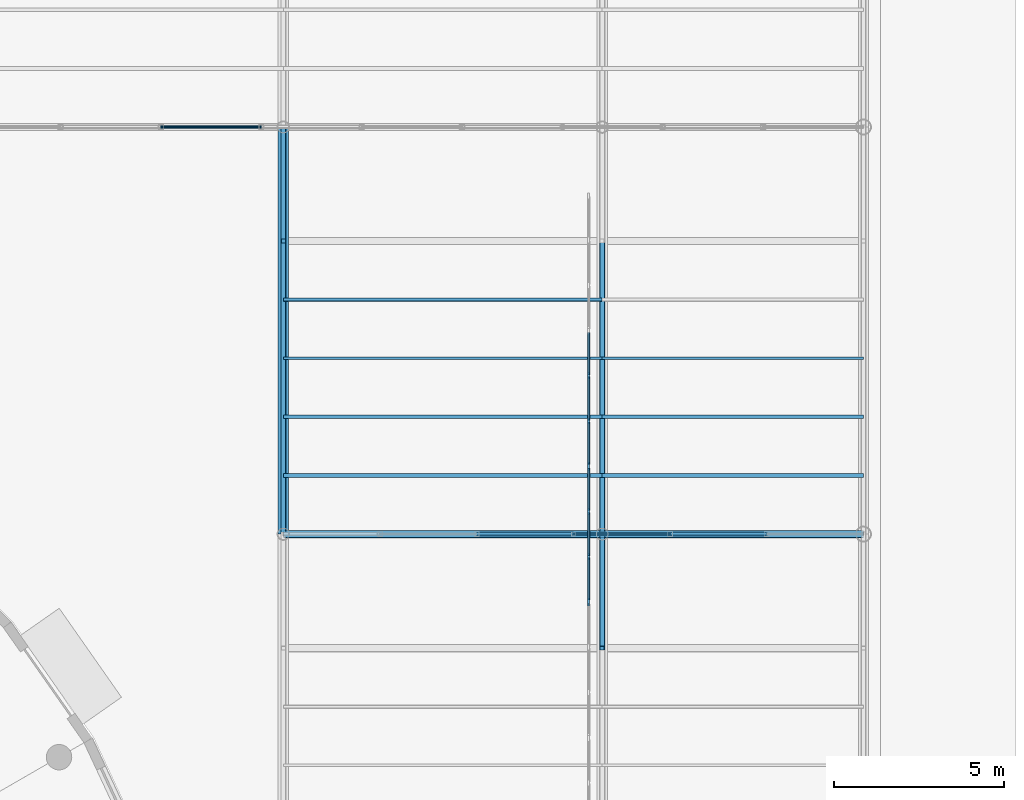
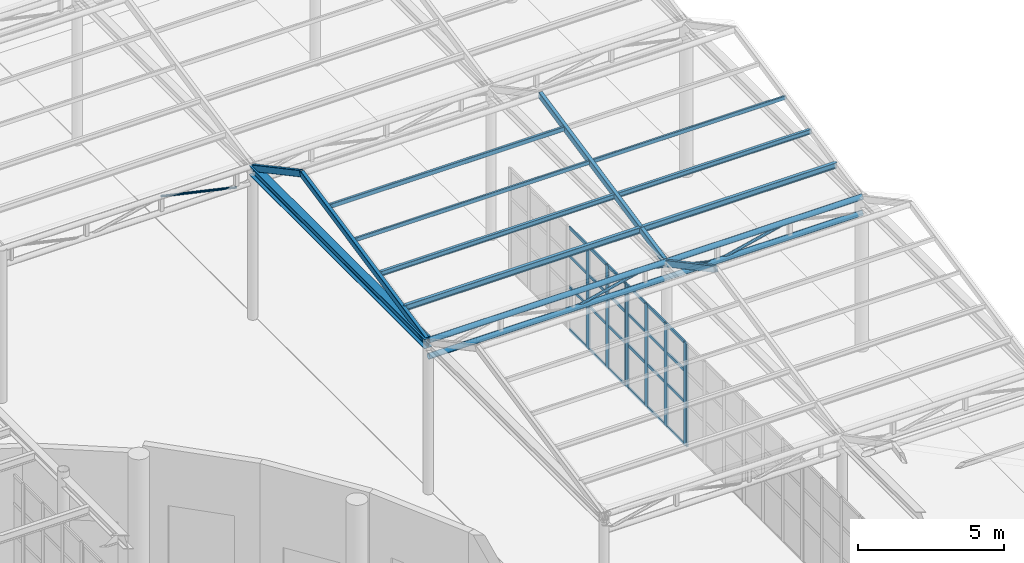
# One storey, part 45 of 118: 49 members, 1 beam, 3 elements without a shape of their own.
"""IFC4 building model written with IfcOpenShell, lengths in metres."""

from ifc_helpers import new_model, si_unit, direction, frame, origin, origin_2d, place, context, subcontext, project, spatial, rectangle, hollow_rectangle, hollow_circle, i_section, extrude, material, material_profile, profile_set, type_object, element, aggregate, save


model = new_model("IFC4")

# Units and contexts
model_context = context("Model", 3, precision=1e-05, world=origin(), true_north=direction((0.0, 1.0)))
body_context = subcontext(model_context, "Body", "Model", "MODEL_VIEW")
ifc_project = project(units=[si_unit("LENGTHUNIT", "METRE"), si_unit("AREAUNIT", "SQUARE_METRE"), si_unit("VOLUMEUNIT", "CUBIC_METRE"), si_unit("PLANEANGLEUNIT", "RADIAN"), si_unit("MASSUNIT", "GRAM", prefix="KILO")], contexts=[model_context])

# Site, building, storey
site_placement = place(None, origin())
site = spatial("IfcSite", under=ifc_project, at=site_placement, CompositionType="ELEMENT")
building_placement = place(site_placement, origin())
building = spatial("IfcBuilding", under=site, at=building_placement, Name="Kolvaren Corner Interchange", CompositionType="ELEMENT")
storey_placement = place(building_placement, origin())
storey = spatial("IfcBuildingStorey", under=building, at=storey_placement, Name="L01", CompositionType="ELEMENT", Elevation=0.0)

# Beam
ifc_material_1 = material(Name="Steel S355", Category="steel")
ifc_material_profile_1 = material_profile(ifc_material_1, i_section(OverallWidth=0.300048828125, OverallDepth=0.389892578125, WebThickness=0.010986328125, FlangeThickness=0.01904296875, FilletRadius=0.027099609375, at=origin_2d()), Name="HEA 400")
ifc_profile_set_1 = profile_set([ifc_material_profile_1], Name="Steel S355")
beam_type = type_object("IfcBeamType", Name="BM-HEA400", PredefinedType="BEAM", material=ifc_profile_set_1)
beam_placement = place(storey_placement, frame((146.39990234375, 66.0, 6.199951171875), z_axis=(0.0, 1.0, 0.0), x_axis=(-1.0, 0.0, 0.0)))
element("IfcBeam", 1, at=beam_placement, inside=storey, type_object=beam_type, Name="Bus Canopy Eaves Girder 009", PredefinedType="BEAM", context=body_context, shape_type="SweptSolid", body=[
    extrude(i_section(OverallWidth=0.300048828125, OverallDepth=0.389892578125, WebThickness=0.010986328125, FlangeThickness=0.01904296875, FilletRadius=0.027099609375, at=origin_2d()), origin(), (0.0, 0.0, 1.0), 12.0),
])

# Members
ifc_material_2 = material(Name="Steel S355", Category="steel")
ifc_material_profile_2 = material_profile(ifc_material_2, hollow_circle(Radius=0.05712890625, WallThickness=0.00634765625, at=origin_2d()), Name="CHS 114.3x6.3")
ifc_profile_set_2 = profile_set([ifc_material_profile_2], Name="Steel S355")
member_type_1 = type_object("IfcMemberType", Name="MEM-BR-CHS114", PredefinedType="BRACE", material=ifc_profile_set_2)
for number, where, z_axis, x_axis, name in (
    (2, (152.10009765625, 66.0, 5.64990234375), (0.973446689574, 0.0, 0.228913832167), (0.0, 1.0, 0.0), "Bus Canopy Sawtooth Roof Truss 03 Web Diagonal 03"),
    (3, (157.800048828125, 66.0, 5.64990234375), (0.973446689574, 0.0, 0.228913832167), (0.0, 1.0, 0.0), "Bus Canopy Sawtooth Roof Truss 03 Web Diagonal 05"),
):
    element("IfcMember", number, at=place(storey_placement, frame(where, z_axis=z_axis, x_axis=x_axis)), inside=storey, type_object=member_type_1, Name=name, PredefinedType="BRACE", context=body_context, shape_type="SweptSolid", body=[
        extrude(hollow_circle(Radius=0.05712890625, WallThickness=0.00634765625, at=origin_2d()), origin(), (0.0, 0.0, 1.0), 2.927490234375),
    ])
ifc_material_3 = material(Name="Steel S355", Category="steel")
ifc_material_profile_3 = material_profile(ifc_material_3, hollow_circle(Radius=0.04443359375, WallThickness=0.0048828125, at=origin_2d()), Name="CHS 88.9x5.0")
ifc_profile_set_3 = profile_set([ifc_material_profile_3], Name="Steel S355")
member_type_2 = type_object("IfcMemberType", Name="MEM-BR-CHS89", PredefinedType="BRACE", material=ifc_profile_set_3)
member_1_placement = place(storey_placement, frame((154.949951171875, 66.0, 6.320068359375), z_axis=(0.973451058965, 0.0, -0.228895250716), x_axis=(0.0, 1.0, 0.0)))
element("IfcMember", 4, at=member_1_placement, inside=storey, type_object=member_type_2, Name="Bus Canopy Sawtooth Roof Truss 03 Web Diagonal 04", PredefinedType="BRACE", context=body_context, shape_type="SweptSolid", body=[
    extrude(hollow_circle(Radius=0.04443359375, WallThickness=0.0048828125, at=origin_2d()), origin(), (0.0, 0.0, 1.0), 2.927734375),
])
member_2_placement = place(storey_placement, frame((142.791748046875, 78.0, 6.320068359375), z_axis=(0.97528679841, 0.0, -0.220942664161), x_axis=(0.0, 1.0, 0.0)))
element("IfcMember", 5, at=member_2_placement, inside=storey, type_object=member_type_2, Name="Bus Canopy Sawtooth Roof Truss 04 Web Diagonal 06", PredefinedType="BRACE", context=body_context, shape_type="SweptSolid", body=[
    extrude(hollow_circle(Radius=0.04443359375, WallThickness=0.0048828125, at=origin_2d()), origin(), (0.0, 0.0, 1.0), 3.033203125),
])
ifc_material_4 = material(Name="Steel S355", Category="steel")
ifc_material_profile_4 = material_profile(ifc_material_4, hollow_circle(Radius=0.109619140625, WallThickness=0.010009765625, at=origin_2d()), Name="CHS 219.1x10.0")
ifc_profile_set_4 = profile_set([ifc_material_profile_4], Name="Steel S355")
member_type_3 = type_object("IfcMemberType", Name="MEM-CH-CHS219", PredefinedType="CHORD", material=ifc_profile_set_4)
for number, where, z_axis, x_axis, name in (
    (6, (146.39990234375, 66.0, 5.64990234375), (1.0, 0.0, 0.0), (0.0, 1.0, 0.0), "Bus Canopy Sawtooth Roof Truss 03 Bottom Chord"),
    (7, (146.39990234375, 66.0, 6.320068359375), (1.0, 0.0, 0.0), (0.0, 1.0, 0.0), "Bus Canopy Sawtooth Roof Truss 03 Top Chord"),
):
    element("IfcMember", number, at=place(storey_placement, frame(where, z_axis=z_axis, x_axis=x_axis)), inside=storey, type_object=member_type_3, Name=name, PredefinedType="CHORD", context=body_context, shape_type="SweptSolid", body=[
        extrude(hollow_circle(Radius=0.109619140625, WallThickness=0.010009765625, at=origin_2d()), origin(), (0.0, 0.0, 1.0), 17.10009765625),
    ])
ifc_material_5 = material(Name="Steel S355", Category="steel")
ifc_material_profile_5 = material_profile(ifc_material_5, i_section(OverallWidth=0.10009765625, OverallDepth=0.199951171875, WebThickness=0.005615234375, FlangeThickness=0.008544921875, FilletRadius=0.011962890625, at=origin_2d()), Name="IPE 200")
ifc_profile_set_5 = profile_set([ifc_material_profile_5], Name="Steel S355")
member_type_4 = type_object("IfcMemberType", Name="MEM-PR-IPE200", PredefinedType="PURLIN", material=ifc_profile_set_5)
member_3_placement = place(storey_placement, frame((146.39990234375, 69.4560546875, 6.97998046875), z_axis=(1.0, 0.0, 0.0), x_axis=(0.0, 1.0, 0.0)))
element("IfcMember", 8, at=member_3_placement, inside=storey, type_object=member_type_4, Name="Bus Canopy Sawtooth Purlin 03 Row 2 Bay 146", PredefinedType="PURLIN", context=body_context, shape_type="SweptSolid", body=[
    extrude(i_section(OverallWidth=0.10009765625, OverallDepth=0.199951171875, WebThickness=0.005615234375, FlangeThickness=0.008544921875, FilletRadius=0.011962890625, at=origin_2d()), origin(), (0.0, 0.0, 1.0), 9.400146484375),
])
member_4_placement = place(storey_placement, frame((155.800048828125, 69.4560546875, 6.97998046875), z_axis=(1.0, 0.0, 0.0), x_axis=(0.0, 1.0, 0.0)))
element("IfcMember", 9, at=member_4_placement, inside=storey, type_object=member_type_4, Name="Bus Canopy Sawtooth Purlin 03 Row 2 Bay 155", PredefinedType="PURLIN", context=body_context, shape_type="SweptSolid", body=[
    extrude(i_section(OverallWidth=0.10009765625, OverallDepth=0.199951171875, WebThickness=0.005615234375, FlangeThickness=0.008544921875, FilletRadius=0.011962890625, at=origin_2d()), origin(), (0.0, 0.0, 1.0), 7.699951171875),
])
ifc_material_6 = material(Name="Steel S355", Category="steel")
ifc_material_profile_6 = material_profile(ifc_material_6, i_section(OverallWidth=0.1201171875, OverallDepth=0.239990234375, WebThickness=0.006103515625, FlangeThickness=0.009765625, FilletRadius=0.014892578125, at=origin_2d()), Name="IPE 240")
ifc_profile_set_6 = profile_set([ifc_material_profile_6], Name="Steel S355")
member_type_5 = type_object("IfcMemberType", Name="MEM-PR-IPE240", PredefinedType="PURLIN", material=ifc_profile_set_6)
member_5_placement = place(storey_placement, frame((146.39990234375, 67.72802734375, 6.6201171875), z_axis=(1.0, 0.0, 0.0), x_axis=(0.0, 1.0, 0.0)))
element("IfcMember", 10, at=member_5_placement, inside=storey, type_object=member_type_5, Name="Bus Canopy Sawtooth Purlin 03 Row 1 Bay 146", PredefinedType="PURLIN", context=body_context, shape_type="SweptSolid", body=[
    extrude(i_section(OverallWidth=0.1201171875, OverallDepth=0.239990234375, WebThickness=0.006103515625, FlangeThickness=0.009765625, FilletRadius=0.014892578125, at=origin_2d()), origin(), (0.0, 0.0, 1.0), 9.400146484375),
])
member_6_placement = place(storey_placement, frame((155.800048828125, 67.72802734375, 6.6201171875), z_axis=(1.0, 0.0, 0.0), x_axis=(0.0, 1.0, 0.0)))
element("IfcMember", 11, at=member_6_placement, inside=storey, type_object=member_type_5, Name="Bus Canopy Sawtooth Purlin 03 Row 1 Bay 155", PredefinedType="PURLIN", context=body_context, shape_type="SweptSolid", body=[
    extrude(i_section(OverallWidth=0.1201171875, OverallDepth=0.239990234375, WebThickness=0.006103515625, FlangeThickness=0.009765625, FilletRadius=0.014892578125, at=origin_2d()), origin(), (0.0, 0.0, 1.0), 7.699951171875),
])
ifc_material_7 = material(Name="Steel S355", Category="steel")
ifc_material_profile_7 = material_profile(ifc_material_7, hollow_rectangle(XDim=0.080078125, YDim=0.159912109375, WallThickness=0.00634765625, InnerFilletRadius=0.00634765625, OuterFilletRadius=0.0126953125, at=origin_2d()), Name="RHS 160x80x6.3")
ifc_profile_set_7 = profile_set([ifc_material_profile_7], Name="Steel S355")
member_type_6 = type_object("IfcMemberType", Name="MEM-PR-RHS160", PredefinedType="PURLIN", material=ifc_profile_set_7)
member_7_placement = place(storey_placement, frame((146.39990234375, 71.18408203125, 7.340087890625), z_axis=(1.0, 0.0, 0.0), x_axis=(0.0, 1.0, 0.0)))
element("IfcMember", 12, at=member_7_placement, inside=storey, type_object=member_type_6, Name="Bus Canopy Sawtooth Purlin 03 Row 3 Bay 146", PredefinedType="PURLIN", context=body_context, shape_type="SweptSolid", body=[
    extrude(hollow_rectangle(XDim=0.080078125, YDim=0.159912109375, WallThickness=0.00634765625, InnerFilletRadius=0.00634765625, OuterFilletRadius=0.0126953125, at=origin_2d()), origin(), (0.0, 0.0, 1.0), 9.400146484375),
])
member_8_placement = place(storey_placement, frame((155.800048828125, 71.18408203125, 7.340087890625), z_axis=(1.0, 0.0, 0.0), x_axis=(0.0, 1.0, 0.0)))
element("IfcMember", 13, at=member_8_placement, inside=storey, type_object=member_type_6, Name="Bus Canopy Sawtooth Purlin 03 Row 3 Bay 155", PredefinedType="PURLIN", context=body_context, shape_type="SweptSolid", body=[
    extrude(hollow_rectangle(XDim=0.080078125, YDim=0.159912109375, WallThickness=0.00634765625, InnerFilletRadius=0.00634765625, OuterFilletRadius=0.0126953125, at=origin_2d()), origin(), (0.0, 0.0, 1.0), 7.699951171875),
])
ifc_material_8 = material(Name="Steel S355", Category="steel")
ifc_material_profile_8 = material_profile(ifc_material_8, hollow_rectangle(XDim=0.10009765625, YDim=0.179931640625, WallThickness=0.008056640625, InnerFilletRadius=0.008056640625, OuterFilletRadius=0.01611328125, at=origin_2d()), Name="RHS 180x100x8.0")
ifc_profile_set_8 = profile_set([ifc_material_profile_8], Name="Steel S355")
member_type_7 = type_object("IfcMemberType", Name="MEM-PR-RHS180", PredefinedType="PURLIN", material=ifc_profile_set_8)
member_9_placement = place(storey_placement, frame((146.39990234375, 72.912109375, 7.699951171875), z_axis=(1.0, 0.0, 0.0), x_axis=(0.0, 1.0, 0.0)))
element("IfcMember", 14, at=member_9_placement, inside=storey, type_object=member_type_7, Name="Bus Canopy Sawtooth Purlin 03 Row 4 Bay 146", PredefinedType="PURLIN", context=body_context, shape_type="SweptSolid", body=[
    extrude(hollow_rectangle(XDim=0.10009765625, YDim=0.179931640625, WallThickness=0.008056640625, InnerFilletRadius=0.008056640625, OuterFilletRadius=0.01611328125, at=origin_2d()), origin(), (0.0, 0.0, 1.0), 9.400146484375),
])
ifc_material_9 = material(Name="Steel S355", Category="steel")
ifc_material_profile_9 = material_profile(ifc_material_9, hollow_rectangle(XDim=0.14990234375, YDim=0.25, WallThickness=0.010009765625, InnerFilletRadius=0.010009765625, OuterFilletRadius=0.02001953125, at=origin_2d()), Name="RHS 250x150x10.0")
ifc_profile_set_9 = profile_set([ifc_material_profile_9], Name="Steel S355")
member_type_8 = type_object("IfcMemberType", Name="MEM-RF-RHS250", PredefinedType="RAFTER", material=ifc_profile_set_9)
member_10_placement = place(storey_placement, frame((155.800048828125, 62.639892578125, 8.050048828125), z_axis=(0.0, 0.881480922165, -0.47221963519), x_axis=(-1.0, 0.0, 0.0)))
element("IfcMember", 15, at=member_10_placement, inside=storey, type_object=member_type_8, Name="Bus Canopy Sawtooth North Rafter 02 Line 2", PredefinedType="RAFTER", context=body_context, shape_type="SweptSolid", body=[
    extrude(hollow_rectangle(XDim=0.14990234375, YDim=0.25, WallThickness=0.010009765625, InnerFilletRadius=0.010009765625, OuterFilletRadius=0.02001953125, at=origin_2d()), origin(), (0.0, 0.0, 1.0), 3.811767578125),
])
member_11_placement = place(storey_placement, frame((146.39990234375, 66.0, 6.25), z_axis=(0.0, 0.978978808696, 0.20396198696), x_axis=(-1.0, 0.0, 0.0)))
element("IfcMember", 16, at=member_11_placement, inside=storey, type_object=member_type_8, Name="Bus Canopy Sawtooth South Rafter 03 Line 1", PredefinedType="RAFTER", context=body_context, shape_type="SweptSolid", body=[
    extrude(hollow_rectangle(XDim=0.14990234375, YDim=0.25, WallThickness=0.010009765625, InnerFilletRadius=0.010009765625, OuterFilletRadius=0.02001953125, at=origin_2d()), origin(), (0.0, 0.0, 1.0), 8.825439453125),
])
member_12_placement = place(storey_placement, frame((146.39990234375, 74.639892578125, 8.050048828125), z_axis=(0.0, 0.881480922165, -0.47221963519), x_axis=(-1.0, 0.0, 0.0)))
element("IfcMember", 17, at=member_12_placement, inside=storey, type_object=member_type_8, Name="Bus Canopy Sawtooth North Rafter 03 Line 1", PredefinedType="RAFTER", context=body_context, shape_type="SweptSolid", body=[
    extrude(hollow_rectangle(XDim=0.14990234375, YDim=0.25, WallThickness=0.010009765625, InnerFilletRadius=0.010009765625, OuterFilletRadius=0.02001953125, at=origin_2d()), origin(), (0.0, 0.0, 1.0), 3.811767578125),
])
member_13_placement = place(storey_placement, frame((155.800048828125, 66.0, 6.25), z_axis=(0.0, 0.978978808696, 0.20396198696), x_axis=(-1.0, 0.0, 0.0)))
element("IfcMember", 18, at=member_13_placement, inside=storey, type_object=member_type_8, Name="Bus Canopy Sawtooth South Rafter 03 Line 2", PredefinedType="RAFTER", context=body_context, shape_type="SweptSolid", body=[
    extrude(hollow_rectangle(XDim=0.14990234375, YDim=0.25, WallThickness=0.010009765625, InnerFilletRadius=0.010009765625, OuterFilletRadius=0.02001953125, at=origin_2d()), origin(), (0.0, 0.0, 1.0), 8.825439453125),
])

# Curtain wall, member
ifc_material_10 = material(Name="Unitised Aluminium and Solar-Control Glass Curtain Wall", Category="aluminium")
curtain_wall_type = type_object("IfcCurtainWallType", Name="CW-V4-BOARD", PredefinedType="NOTDEFINED", material=ifc_material_10)
curtain_wall_1_placement = place(storey_placement, origin())
curtain_wall_1 = element("IfcCurtainWall", 19, at=curtain_wall_1_placement, inside=storey, type_object=curtain_wall_type, Name="Bus Island East Boarding Curtain Wall Bay 09", PredefinedType="NOTDEFINED")
ifc_material_11 = material(Name="Anodised Aluminium Framing", Category="aluminium")
ifc_material_profile_10 = material_profile(ifc_material_11, rectangle(XDim=0.06005859375, YDim=0.179931640625, at=origin_2d()), Name="ALU 60x180")
ifc_profile_set_10 = profile_set([ifc_material_profile_10], Name="Anodised Aluminium Framing")
member_type_9 = type_object("IfcMemberType", Name="MUL-ALU60x180", PredefinedType="MULLION", material=ifc_profile_set_10)
member_14_placement = place(storey_placement, frame((155.39990234375, 63.969970703125, 0.0), z_axis=(0.0, 0.0, 1.0), x_axis=(-1.0, 0.0, 0.0)))
member_14 = element("IfcMember", 20, at=member_14_placement, type_object=member_type_9, Name="CW-146 mullion 4", PredefinedType="MULLION", context=body_context, shape_type="SweptSolid", body=[
    extrude(rectangle(XDim=0.06005859375, YDim=0.179931640625, at=origin_2d()), origin(), (0.0, 0.0, 1.0), 4.300048828125),
])
aggregate(curtain_wall_1, [member_14])

# Curtain wall, members
curtain_wall_2_placement = place(storey_placement, origin())
curtain_wall_2 = element("IfcCurtainWall", 21, at=curtain_wall_2_placement, inside=storey, type_object=curtain_wall_type, Name="Bus Island East Boarding Curtain Wall Bay 10", PredefinedType="NOTDEFINED")
member_15_placement = place(storey_placement, frame((155.39990234375, 64.030029296875, 0.0), z_axis=(0.0, 0.0, 1.0), x_axis=(-1.0, 0.0, 0.0)))
member_15 = element("IfcMember", 22, at=member_15_placement, type_object=member_type_9, Name="CW-147 mullion 1", PredefinedType="MULLION", context=body_context, shape_type="SweptSolid", body=[
    extrude(rectangle(XDim=0.06005859375, YDim=0.179931640625, at=origin_2d()), origin(), (0.0, 0.0, 1.0), 4.300048828125),
])
member_16_placement = place(storey_placement, frame((155.39990234375, 65.333251953125, 0.0), z_axis=(0.0, 0.0, 1.0), x_axis=(-1.0, 0.0, 0.0)))
member_16 = element("IfcMember", 23, at=member_16_placement, type_object=member_type_9, Name="CW-147 mullion 2", PredefinedType="MULLION", context=body_context, shape_type="SweptSolid", body=[
    extrude(rectangle(XDim=0.06005859375, YDim=0.179931640625, at=origin_2d()), origin(), (0.0, 0.0, 1.0), 4.300048828125),
])
member_17_placement = place(storey_placement, frame((155.39990234375, 66.666748046875, 0.0), z_axis=(0.0, 0.0, 1.0), x_axis=(-1.0, 0.0, 0.0)))
member_17 = element("IfcMember", 24, at=member_17_placement, type_object=member_type_9, Name="CW-147 mullion 3", PredefinedType="MULLION", context=body_context, shape_type="SweptSolid", body=[
    extrude(rectangle(XDim=0.06005859375, YDim=0.179931640625, at=origin_2d()), origin(), (0.0, 0.0, 1.0), 4.300048828125),
])
member_18_placement = place(storey_placement, frame((155.39990234375, 67.969970703125, 0.0), z_axis=(0.0, 0.0, 1.0), x_axis=(-1.0, 0.0, 0.0)))
member_18 = element("IfcMember", 25, at=member_18_placement, type_object=member_type_9, Name="CW-147 mullion 4", PredefinedType="MULLION", context=body_context, shape_type="SweptSolid", body=[
    extrude(rectangle(XDim=0.06005859375, YDim=0.179931640625, at=origin_2d()), origin(), (0.0, 0.0, 1.0), 4.300048828125),
])

curtain_wall_3_placement = place(storey_placement, origin())
curtain_wall_3 = element("IfcCurtainWall", 26, at=curtain_wall_3_placement, inside=storey, type_object=curtain_wall_type, Name="Bus Island East Boarding Curtain Wall Bay 11", PredefinedType="NOTDEFINED")
member_19_placement = place(storey_placement, frame((155.39990234375, 68.030029296875, 0.0), z_axis=(0.0, 0.0, 1.0), x_axis=(-1.0, 0.0, 0.0)))
member_19 = element("IfcMember", 27, at=member_19_placement, type_object=member_type_9, Name="CW-148 mullion 1", PredefinedType="MULLION", context=body_context, shape_type="SweptSolid", body=[
    extrude(rectangle(XDim=0.06005859375, YDim=0.179931640625, at=origin_2d()), origin(), (0.0, 0.0, 1.0), 4.300048828125),
])
member_20_placement = place(storey_placement, frame((155.39990234375, 69.333251953125, 0.0), z_axis=(0.0, 0.0, 1.0), x_axis=(-1.0, 0.0, 0.0)))
member_20 = element("IfcMember", 28, at=member_20_placement, type_object=member_type_9, Name="CW-148 mullion 2", PredefinedType="MULLION", context=body_context, shape_type="SweptSolid", body=[
    extrude(rectangle(XDim=0.06005859375, YDim=0.179931640625, at=origin_2d()), origin(), (0.0, 0.0, 1.0), 4.300048828125),
])
member_21_placement = place(storey_placement, frame((155.39990234375, 70.666748046875, 0.0), z_axis=(0.0, 0.0, 1.0), x_axis=(-1.0, 0.0, 0.0)))
member_21 = element("IfcMember", 29, at=member_21_placement, type_object=member_type_9, Name="CW-148 mullion 3", PredefinedType="MULLION", context=body_context, shape_type="SweptSolid", body=[
    extrude(rectangle(XDim=0.06005859375, YDim=0.179931640625, at=origin_2d()), origin(), (0.0, 0.0, 1.0), 4.300048828125),
])

# Member
ifc_material_12 = material(Name="Anodised Aluminium Framing", Category="aluminium")
ifc_material_profile_11 = material_profile(ifc_material_12, rectangle(XDim=0.054931640625, YDim=0.1201171875, at=origin_2d()), Name="ALU 55x120")
ifc_profile_set_11 = profile_set([ifc_material_profile_11], Name="Anodised Aluminium Framing")
member_type_10 = type_object("IfcMemberType", Name="TRN-ALU55x120", PredefinedType="USERDEFINED", material=ifc_profile_set_11)
member_22_placement = place(storey_placement, frame((155.39990234375, 64.06005859375, 0.027587890625), z_axis=(0.0, 1.0, 0.0), x_axis=(-1.0, 0.0, 0.0)))
member_22 = element("IfcMember", 30, at=member_22_placement, type_object=member_type_10, Name="CW-147 transom 1.1", ObjectType="TRANSOM", PredefinedType="USERDEFINED", context=body_context, shape_type="SweptSolid", body=[
    extrude(rectangle(XDim=0.054931640625, YDim=0.1201171875, at=origin_2d()), origin(), (0.0, 0.0, 1.0), 1.2431640625),
])

member_23_placement = place(storey_placement, frame((155.39990234375, 64.06005859375, 1.800048828125), z_axis=(0.0, 1.0, 0.0), x_axis=(-1.0, 0.0, 0.0)))
member_23 = element("IfcMember", 31, at=member_23_placement, type_object=member_type_10, Name="CW-147 transom 1.2", ObjectType="TRANSOM", PredefinedType="USERDEFINED", context=body_context, shape_type="SweptSolid", body=[
    extrude(rectangle(XDim=0.054931640625, YDim=0.1201171875, at=origin_2d()), origin(), (0.0, 0.0, 1.0), 1.2431640625),
])

member_24_placement = place(storey_placement, frame((155.39990234375, 64.06005859375, 3.10009765625), z_axis=(0.0, 1.0, 0.0), x_axis=(-1.0, 0.0, 0.0)))
member_24 = element("IfcMember", 32, at=member_24_placement, type_object=member_type_10, Name="CW-147 transom 1.3", ObjectType="TRANSOM", PredefinedType="USERDEFINED", context=body_context, shape_type="SweptSolid", body=[
    extrude(rectangle(XDim=0.054931640625, YDim=0.1201171875, at=origin_2d()), origin(), (0.0, 0.0, 1.0), 1.2431640625),
])

member_25_placement = place(storey_placement, frame((155.39990234375, 64.06005859375, 4.2724609375), z_axis=(0.0, 1.0, 0.0), x_axis=(-1.0, 0.0, 0.0)))
member_25 = element("IfcMember", 33, at=member_25_placement, type_object=member_type_10, Name="CW-147 transom 1.4", ObjectType="TRANSOM", PredefinedType="USERDEFINED", context=body_context, shape_type="SweptSolid", body=[
    extrude(rectangle(XDim=0.054931640625, YDim=0.1201171875, at=origin_2d()), origin(), (0.0, 0.0, 1.0), 1.2431640625),
])

member_26_placement = place(storey_placement, frame((155.39990234375, 65.36328125, 0.027587890625), z_axis=(0.0, 1.0, 0.0), x_axis=(-1.0, 0.0, 0.0)))
member_26 = element("IfcMember", 34, at=member_26_placement, type_object=member_type_10, Name="CW-147 transom 2.1", ObjectType="TRANSOM", PredefinedType="USERDEFINED", context=body_context, shape_type="SweptSolid", body=[
    extrude(rectangle(XDim=0.054931640625, YDim=0.1201171875, at=origin_2d()), origin(), (0.0, 0.0, 1.0), 1.2734375),
])

member_27_placement = place(storey_placement, frame((155.39990234375, 65.36328125, 1.800048828125), z_axis=(0.0, 1.0, 0.0), x_axis=(-1.0, 0.0, 0.0)))
member_27 = element("IfcMember", 35, at=member_27_placement, type_object=member_type_10, Name="CW-147 transom 2.2", ObjectType="TRANSOM", PredefinedType="USERDEFINED", context=body_context, shape_type="SweptSolid", body=[
    extrude(rectangle(XDim=0.054931640625, YDim=0.1201171875, at=origin_2d()), origin(), (0.0, 0.0, 1.0), 1.2734375),
])

member_28_placement = place(storey_placement, frame((155.39990234375, 65.36328125, 3.10009765625), z_axis=(0.0, 1.0, 0.0), x_axis=(-1.0, 0.0, 0.0)))
member_28 = element("IfcMember", 36, at=member_28_placement, type_object=member_type_10, Name="CW-147 transom 2.3", ObjectType="TRANSOM", PredefinedType="USERDEFINED", context=body_context, shape_type="SweptSolid", body=[
    extrude(rectangle(XDim=0.054931640625, YDim=0.1201171875, at=origin_2d()), origin(), (0.0, 0.0, 1.0), 1.2734375),
])

member_29_placement = place(storey_placement, frame((155.39990234375, 65.36328125, 4.2724609375), z_axis=(0.0, 1.0, 0.0), x_axis=(-1.0, 0.0, 0.0)))
member_29 = element("IfcMember", 37, at=member_29_placement, type_object=member_type_10, Name="CW-147 transom 2.4", ObjectType="TRANSOM", PredefinedType="USERDEFINED", context=body_context, shape_type="SweptSolid", body=[
    extrude(rectangle(XDim=0.054931640625, YDim=0.1201171875, at=origin_2d()), origin(), (0.0, 0.0, 1.0), 1.2734375),
])

member_30_placement = place(storey_placement, frame((155.39990234375, 66.69677734375, 0.027587890625), z_axis=(0.0, 1.0, 0.0), x_axis=(-1.0, 0.0, 0.0)))
member_30 = element("IfcMember", 38, at=member_30_placement, type_object=member_type_10, Name="CW-147 transom 3.1", ObjectType="TRANSOM", PredefinedType="USERDEFINED", context=body_context, shape_type="SweptSolid", body=[
    extrude(rectangle(XDim=0.054931640625, YDim=0.1201171875, at=origin_2d()), origin(), (0.0, 0.0, 1.0), 1.2431640625),
])

member_31_placement = place(storey_placement, frame((155.39990234375, 66.69677734375, 1.800048828125), z_axis=(0.0, 1.0, 0.0), x_axis=(-1.0, 0.0, 0.0)))
member_31 = element("IfcMember", 39, at=member_31_placement, type_object=member_type_10, Name="CW-147 transom 3.2", ObjectType="TRANSOM", PredefinedType="USERDEFINED", context=body_context, shape_type="SweptSolid", body=[
    extrude(rectangle(XDim=0.054931640625, YDim=0.1201171875, at=origin_2d()), origin(), (0.0, 0.0, 1.0), 1.2431640625),
])

member_32_placement = place(storey_placement, frame((155.39990234375, 66.69677734375, 3.10009765625), z_axis=(0.0, 1.0, 0.0), x_axis=(-1.0, 0.0, 0.0)))
member_32 = element("IfcMember", 40, at=member_32_placement, type_object=member_type_10, Name="CW-147 transom 3.3", ObjectType="TRANSOM", PredefinedType="USERDEFINED", context=body_context, shape_type="SweptSolid", body=[
    extrude(rectangle(XDim=0.054931640625, YDim=0.1201171875, at=origin_2d()), origin(), (0.0, 0.0, 1.0), 1.2431640625),
])

member_33_placement = place(storey_placement, frame((155.39990234375, 66.69677734375, 4.2724609375), z_axis=(0.0, 1.0, 0.0), x_axis=(-1.0, 0.0, 0.0)))
member_33 = element("IfcMember", 41, at=member_33_placement, type_object=member_type_10, Name="CW-147 transom 3.4", ObjectType="TRANSOM", PredefinedType="USERDEFINED", context=body_context, shape_type="SweptSolid", body=[
    extrude(rectangle(XDim=0.054931640625, YDim=0.1201171875, at=origin_2d()), origin(), (0.0, 0.0, 1.0), 1.2431640625),
])

aggregate(curtain_wall_2, [member_15, member_16, member_17, member_18, member_22, member_23, member_24, member_25, member_26, member_27, member_28, member_29, member_30, member_31, member_32, member_33])

member_34_placement = place(storey_placement, frame((155.39990234375, 68.06005859375, 0.027587890625), z_axis=(0.0, 1.0, 0.0), x_axis=(-1.0, 0.0, 0.0)))
member_34 = element("IfcMember", 42, at=member_34_placement, type_object=member_type_10, Name="CW-148 transom 1.1", ObjectType="TRANSOM", PredefinedType="USERDEFINED", context=body_context, shape_type="SweptSolid", body=[
    extrude(rectangle(XDim=0.054931640625, YDim=0.1201171875, at=origin_2d()), origin(), (0.0, 0.0, 1.0), 1.2431640625),
])

member_35_placement = place(storey_placement, frame((155.39990234375, 68.06005859375, 1.800048828125), z_axis=(0.0, 1.0, 0.0), x_axis=(-1.0, 0.0, 0.0)))
member_35 = element("IfcMember", 43, at=member_35_placement, type_object=member_type_10, Name="CW-148 transom 1.2", ObjectType="TRANSOM", PredefinedType="USERDEFINED", context=body_context, shape_type="SweptSolid", body=[
    extrude(rectangle(XDim=0.054931640625, YDim=0.1201171875, at=origin_2d()), origin(), (0.0, 0.0, 1.0), 1.2431640625),
])

member_36_placement = place(storey_placement, frame((155.39990234375, 68.06005859375, 3.10009765625), z_axis=(0.0, 1.0, 0.0), x_axis=(-1.0, 0.0, 0.0)))
member_36 = element("IfcMember", 44, at=member_36_placement, type_object=member_type_10, Name="CW-148 transom 1.3", ObjectType="TRANSOM", PredefinedType="USERDEFINED", context=body_context, shape_type="SweptSolid", body=[
    extrude(rectangle(XDim=0.054931640625, YDim=0.1201171875, at=origin_2d()), origin(), (0.0, 0.0, 1.0), 1.2431640625),
])

member_37_placement = place(storey_placement, frame((155.39990234375, 68.06005859375, 4.2724609375), z_axis=(0.0, 1.0, 0.0), x_axis=(-1.0, 0.0, 0.0)))
member_37 = element("IfcMember", 45, at=member_37_placement, type_object=member_type_10, Name="CW-148 transom 1.4", ObjectType="TRANSOM", PredefinedType="USERDEFINED", context=body_context, shape_type="SweptSolid", body=[
    extrude(rectangle(XDim=0.054931640625, YDim=0.1201171875, at=origin_2d()), origin(), (0.0, 0.0, 1.0), 1.2431640625),
])

member_38_placement = place(storey_placement, frame((155.39990234375, 69.36328125, 0.027587890625), z_axis=(0.0, 1.0, 0.0), x_axis=(-1.0, 0.0, 0.0)))
member_38 = element("IfcMember", 46, at=member_38_placement, type_object=member_type_10, Name="CW-148 transom 2.1", ObjectType="TRANSOM", PredefinedType="USERDEFINED", context=body_context, shape_type="SweptSolid", body=[
    extrude(rectangle(XDim=0.054931640625, YDim=0.1201171875, at=origin_2d()), origin(), (0.0, 0.0, 1.0), 1.2734375),
])

member_39_placement = place(storey_placement, frame((155.39990234375, 69.36328125, 1.800048828125), z_axis=(0.0, 1.0, 0.0), x_axis=(-1.0, 0.0, 0.0)))
member_39 = element("IfcMember", 47, at=member_39_placement, type_object=member_type_10, Name="CW-148 transom 2.2", ObjectType="TRANSOM", PredefinedType="USERDEFINED", context=body_context, shape_type="SweptSolid", body=[
    extrude(rectangle(XDim=0.054931640625, YDim=0.1201171875, at=origin_2d()), origin(), (0.0, 0.0, 1.0), 1.2734375),
])

member_40_placement = place(storey_placement, frame((155.39990234375, 69.36328125, 3.10009765625), z_axis=(0.0, 1.0, 0.0), x_axis=(-1.0, 0.0, 0.0)))
member_40 = element("IfcMember", 48, at=member_40_placement, type_object=member_type_10, Name="CW-148 transom 2.3", ObjectType="TRANSOM", PredefinedType="USERDEFINED", context=body_context, shape_type="SweptSolid", body=[
    extrude(rectangle(XDim=0.054931640625, YDim=0.1201171875, at=origin_2d()), origin(), (0.0, 0.0, 1.0), 1.2734375),
])

member_41_placement = place(storey_placement, frame((155.39990234375, 69.36328125, 4.2724609375), z_axis=(0.0, 1.0, 0.0), x_axis=(-1.0, 0.0, 0.0)))
member_41 = element("IfcMember", 49, at=member_41_placement, type_object=member_type_10, Name="CW-148 transom 2.4", ObjectType="TRANSOM", PredefinedType="USERDEFINED", context=body_context, shape_type="SweptSolid", body=[
    extrude(rectangle(XDim=0.054931640625, YDim=0.1201171875, at=origin_2d()), origin(), (0.0, 0.0, 1.0), 1.2734375),
])

member_42_placement = place(storey_placement, frame((155.39990234375, 70.69677734375, 0.027587890625), z_axis=(0.0, 1.0, 0.0), x_axis=(-1.0, 0.0, 0.0)))
member_42 = element("IfcMember", 50, at=member_42_placement, type_object=member_type_10, Name="CW-148 transom 3.1", ObjectType="TRANSOM", PredefinedType="USERDEFINED", context=body_context, shape_type="SweptSolid", body=[
    extrude(rectangle(XDim=0.054931640625, YDim=0.1201171875, at=origin_2d()), origin(), (0.0, 0.0, 1.0), 1.2431640625),
])

member_43_placement = place(storey_placement, frame((155.39990234375, 70.69677734375, 1.800048828125), z_axis=(0.0, 1.0, 0.0), x_axis=(-1.0, 0.0, 0.0)))
member_43 = element("IfcMember", 51, at=member_43_placement, type_object=member_type_10, Name="CW-148 transom 3.2", ObjectType="TRANSOM", PredefinedType="USERDEFINED", context=body_context, shape_type="SweptSolid", body=[
    extrude(rectangle(XDim=0.054931640625, YDim=0.1201171875, at=origin_2d()), origin(), (0.0, 0.0, 1.0), 1.2431640625),
])

member_44_placement = place(storey_placement, frame((155.39990234375, 70.69677734375, 3.10009765625), z_axis=(0.0, 1.0, 0.0), x_axis=(-1.0, 0.0, 0.0)))
member_44 = element("IfcMember", 52, at=member_44_placement, type_object=member_type_10, Name="CW-148 transom 3.3", ObjectType="TRANSOM", PredefinedType="USERDEFINED", context=body_context, shape_type="SweptSolid", body=[
    extrude(rectangle(XDim=0.054931640625, YDim=0.1201171875, at=origin_2d()), origin(), (0.0, 0.0, 1.0), 1.2431640625),
])

member_45_placement = place(storey_placement, frame((155.39990234375, 70.69677734375, 4.2724609375), z_axis=(0.0, 1.0, 0.0), x_axis=(-1.0, 0.0, 0.0)))
member_45 = element("IfcMember", 53, at=member_45_placement, type_object=member_type_10, Name="CW-148 transom 3.4", ObjectType="TRANSOM", PredefinedType="USERDEFINED", context=body_context, shape_type="SweptSolid", body=[
    extrude(rectangle(XDim=0.054931640625, YDim=0.1201171875, at=origin_2d()), origin(), (0.0, 0.0, 1.0), 1.2431640625),
])

aggregate(curtain_wall_3, [member_19, member_20, member_21, member_34, member_35, member_36, member_37, member_38, member_39, member_40, member_41, member_42, member_43, member_44, member_45])

save(model, "model.ifc")
